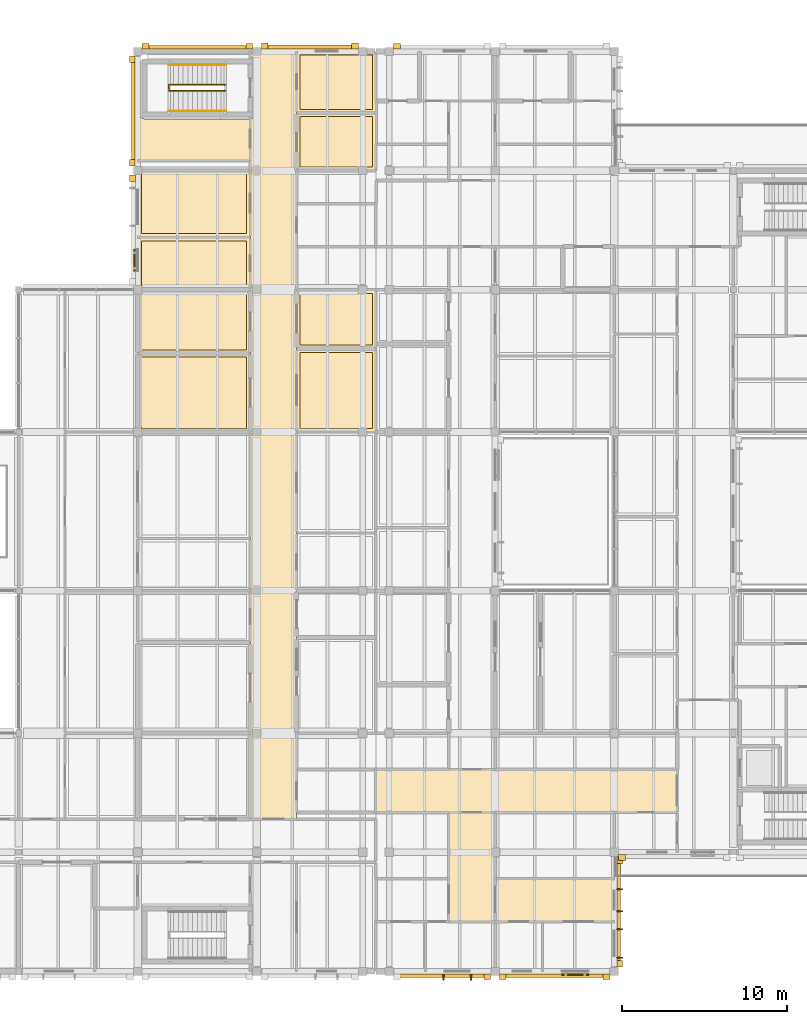
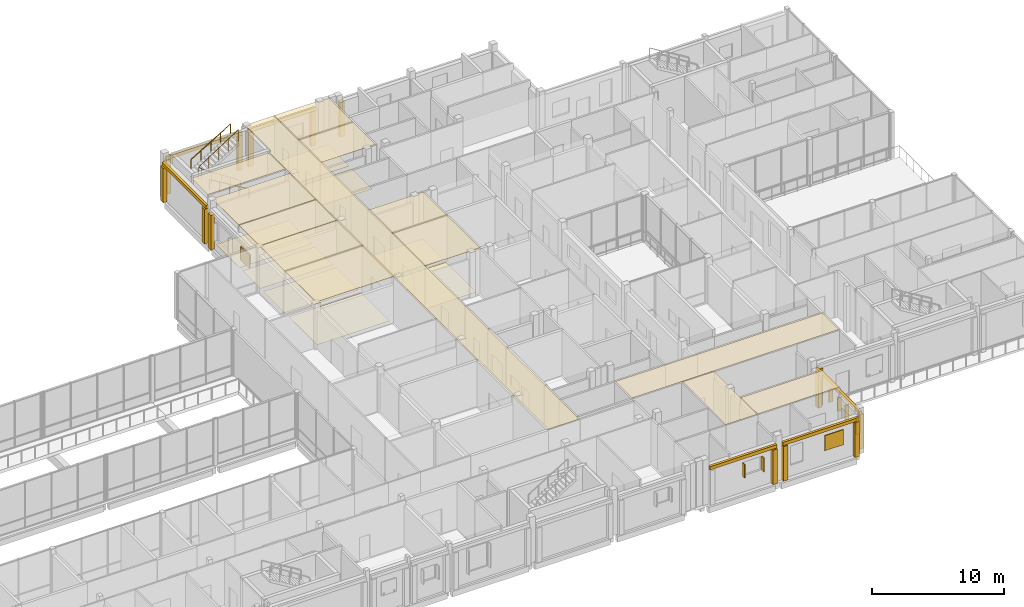
# One storey, part 142 of 146: 41 coverings, 8 shading devices, 3 railings.
"""IFC4 building model written with IfcOpenShell, lengths in metres."""

from ifc_helpers import new_model, si_unit, direction, frame, origin, origin_2d, place, context, subcontext, project, spatial, polyline, rectangle, circle, outline, extrude, material, layer, layer_set, type_object, element, save


model = new_model("IFC4")

# Units and contexts
model_context = context("Model", 3, precision=1e-05, world=origin(), true_north=direction((0.0, 1.0)))
body_context = subcontext(model_context, "Body", "Model", "MODEL_VIEW")
ifc_project = project(units=[si_unit("LENGTHUNIT", "METRE"), si_unit("AREAUNIT", "SQUARE_METRE"), si_unit("VOLUMEUNIT", "CUBIC_METRE"), si_unit("PLANEANGLEUNIT", "RADIAN"), si_unit("MASSUNIT", "GRAM", prefix="KILO")], contexts=[model_context])

# Site, building, storey
site_placement = place(None, origin())
site = spatial("IfcSite", under=ifc_project, at=site_placement, CompositionType="ELEMENT")
building_placement = place(site_placement, origin())
building = spatial("IfcBuilding", under=site, at=building_placement, Name="Hawrajan Terrace Health Centre", CompositionType="ELEMENT")
storey_placement = place(building_placement, frame((0.0, 0.0, 4.5)))
storey = spatial("IfcBuildingStorey", under=building, at=storey_placement, Name="L01", CompositionType="ELEMENT", Elevation=4.5)

# Coverings
ifc_material_1 = material(Name="Precast concrete C40/50", Category="concrete")
ifc_layer_1 = layer(ifc_material_1, 0.219970703125)
ifc_layer_set_1 = layer_set([ifc_layer_1], Name="Precast concrete C40/50")
covering_type_1 = type_object("IfcCoveringType", Name="ArtDecoCorniceBand", PredefinedType="CLADDING", material=ifc_layer_set_1)
for number, where, z_axis, x_axis, name in (
    (1, (118.60009765625, 60.06005859375, 3.2099609375), (0.0, 0.0, 1.0), (1.0, 0.0, 0.0), "Art Deco limestone cornice band CRN-L01-0086"),
    (2, (114.72998046875, 56.199951171875, 3.2099609375), (0.0, 0.0, 1.0), (0.0, 1.0, 0.0), "Art Deco limestone cornice band CRN-L01-0087"),
):
    element("IfcCovering", number, at=place(storey_placement, frame(where, z_axis=z_axis, x_axis=x_axis)), inside=storey, type_object=covering_type_1, Name=name, PredefinedType="CLADDING", context=body_context, shape_type="SweptSolid", body=[
        extrude(rectangle(XDim=6.659912109375, YDim=0.219970703125, at=origin_2d()), origin(), (0.0, 0.0, 1.0), 0.300048828125),
    ])
for number, where, z_axis, x_axis, name in (
    (3, (125.39990234375, 60.070068359375, 3.2099609375), (0.0, 0.0, 1.0), (1.0, 0.0, 0.0), "Art Deco limestone cornice band CRN-L01-0089"),
    (4, (133.39990234375, 3.929931640625, 3.2099609375), (0.0, 0.0, 1.0), (1.0, 0.0, 0.0), "Art Deco limestone cornice band CRN-L01-0090"),
):
    element("IfcCovering", number, at=place(storey_placement, frame(where, z_axis=z_axis, x_axis=x_axis)), inside=storey, type_object=covering_type_1, Name=name, PredefinedType="CLADDING", context=body_context, shape_type="SweptSolid", body=[
        extrude(rectangle(XDim=5.860107421875, YDim=0.219970703125, at=origin_2d()), origin(), (0.0, 0.0, 1.0), 0.300048828125),
    ])
for number, where, z_axis, x_axis, name in (
    (5, (140.199951171875, 3.93994140625, 3.2099609375), (0.0, 0.0, 1.0), (1.0, 0.0, 0.0), "Art Deco limestone cornice band CRN-L01-0093"),
    (6, (144.070068359375, 7.800048828125, 3.2099609375), (0.0, 0.0, 1.0), (0.0, 1.0, 0.0), "Art Deco limestone cornice band CRN-L01-0094"),
):
    element("IfcCovering", number, at=place(storey_placement, frame(where, z_axis=z_axis, x_axis=x_axis)), inside=storey, type_object=covering_type_1, Name=name, PredefinedType="CLADDING", context=body_context, shape_type="SweptSolid", body=[
        extrude(rectangle(XDim=6.659912109375, YDim=0.219970703125, at=origin_2d()), origin(), (0.0, 0.0, 1.0), 0.300048828125),
    ])
ifc_layer_2 = layer(ifc_material_1, 0.340087890625)
ifc_layer_set_2 = layer_set([ifc_layer_2], Name="Precast concrete C40/50")
covering_type_2 = type_object("IfcCoveringType", Name="ArtDecoStonePilaster", PredefinedType="CLADDING", material=ifc_layer_set_2)
for number, where, z_axis, x_axis, name in (
    (7, (114.679931640625, 52.1298828125, 0.0), (0.0, 0.0, 1.0), (0.0, 1.0, 0.0), "Art Deco fluted limestone pilaster FPIL-L01-0149"),
    (8, (115.469970703125, 60.1201171875, 0.0), (0.0, 0.0, 1.0), (1.0, 0.0, 0.0), "Art Deco fluted limestone pilaster FPIL-L01-0150"),
    (9, (121.72998046875, 60.1201171875, 0.0), (0.0, 0.0, 1.0), (1.0, 0.0, 0.0), "Art Deco fluted limestone pilaster FPIL-L01-0151"),
    (10, (114.669921875, 53.070068359375, 0.0), (0.0, 0.0, 1.0), (0.0, 1.0, 0.0), "Art Deco fluted limestone pilaster FPIL-L01-0152"),
    (11, (114.669921875, 59.330078125, 0.0), (0.0, 0.0, 1.0), (0.0, 1.0, 0.0), "Art Deco fluted limestone pilaster FPIL-L01-0153"),
    (12, (122.669921875, 60.1298828125, 0.0), (0.0, 0.0, 1.0), (1.0, 0.0, 0.0), "Art Deco fluted limestone pilaster FPIL-L01-0156"),
    (13, (128.1298828125, 60.1298828125, 0.0), (0.0, 0.0, 1.0), (1.0, 0.0, 0.0), "Art Deco fluted limestone pilaster FPIL-L01-0157"),
    (14, (136.1298828125, 3.8701171875, 0.0), (0.0, 0.0, 1.0), (1.0, 0.0, 0.0), "Art Deco fluted limestone pilaster FPIL-L01-0159"),
    (15, (130.669921875, 60.1201171875, 0.0), (0.0, 0.0, 1.0), (1.0, 0.0, 0.0), "Art Deco fluted limestone pilaster FPIL-L01-0162"),
    (16, (137.070068359375, 3.8798828125, 0.0), (0.0, 0.0, 1.0), (1.0, 0.0, 0.0), "Art Deco fluted limestone pilaster FPIL-L01-0164"),
    (17, (143.330078125, 3.8798828125, 0.0), (0.0, 0.0, 1.0), (1.0, 0.0, 0.0), "Art Deco fluted limestone pilaster FPIL-L01-0165"),
    (18, (144.1298828125, 4.669921875, 0.0), (0.0, 0.0, 1.0), (0.0, 1.0, 0.0), "Art Deco fluted limestone pilaster FPIL-L01-0166"),
    (19, (144.1298828125, 10.929931640625, 0.0), (0.0, 0.0, 1.0), (0.0, 1.0, 0.0), "Art Deco fluted limestone pilaster FPIL-L01-0167"),
):
    element("IfcCovering", number, at=place(storey_placement, frame(where, z_axis=z_axis, x_axis=x_axis)), inside=storey, type_object=covering_type_2, Name=name, PredefinedType="CLADDING", context=body_context, shape_type="SweptSolid", body=[
        extrude(rectangle(XDim=0.39990234375, YDim=0.340087890625, at=origin_2d()), origin(), (0.0, 0.0, 1.0), 3.199951171875),
    ])
covering_1_placement = place(storey_placement, frame((144.27001953125, 11.080078125, 0.0), z_axis=(0.0, 0.0, 1.0), x_axis=(1.0, 0.0, 0.0)))
element("IfcCovering", 20, at=covering_1_placement, inside=storey, type_object=covering_type_2, Name="Art Deco fluted limestone pilaster FPIL-L01-0172", PredefinedType="CLADDING", context=body_context, shape_type="SweptSolid", body=[
    extrude(rectangle(XDim=0.39990234375, YDim=0.340087890625, at=origin_2d()), origin(), (0.0, 0.0, 1.0), 3.43994140625),
])
ifc_material_2 = material(Name="Hygienic mineral-fibre acoustic tile ceiling")
ifc_layer_3 = layer(ifc_material_2, 0.02490234375)
ifc_layer_set_3 = layer_set([ifc_layer_3], Name="Hygienic mineral-fibre acoustic tile ceiling")
covering_type_3 = type_object("IfcCoveringType", Name="ClinicalAcousticCeiling_25", PredefinedType="CEILING", material=ifc_layer_set_3)
covering_2_placement = place(storey_placement, frame((0.0, 0.0, 4.155029296875)))
element("IfcCovering", 21, at=covering_2_placement, inside=storey, type_object=covering_type_3, Name="Suspended ceiling L01-033", PredefinedType="CEILING", context=body_context, shape_type="SweptSolid", body=[
    extrude(outline(polyline([(121.820068359375, 59.780029296875), (124.580078125, 59.780029296875), (124.580078125, 13.419921875), (121.820068359375, 13.419921875), (121.820068359375, 55.73095703125), (121.825439453125, 55.731201171875), (121.827392578125, 55.7314453125), (121.851806640625, 55.735107421875), (121.853515625, 55.7353515625), (121.87744140625, 55.741455078125), (121.87939453125, 55.741943359375), (121.90234375, 55.750244140625), (121.904296875, 55.7509765625), (121.926513671875, 55.761474609375), (121.927978515625, 55.762451171875), (121.94921875, 55.77490234375), (121.95068359375, 55.776123046875), (121.970458984375, 55.790771484375), (121.971923828125, 55.7919921875), (121.990234375, 55.808349609375), (121.99169921875, 55.809814453125), (122.008056640625, 55.827880859375), (122.00927734375, 55.82958984375), (122.02392578125, 55.84912109375), (122.02490234375, 55.850830078125), (122.03759765625, 55.871826171875), (122.03857421875, 55.87353515625), (122.049072265625, 55.895751953125), (122.0498046875, 55.897705078125), (122.05810546875, 55.920654296875), (122.05859375, 55.922607421875), (122.064697265625, 55.9462890625), (122.06494140625, 55.9482421875), (122.068603515625, 55.97265625), (122.06884765625, 55.974609375), (122.070068359375, 55.9990234375), (122.070068359375, 56.0), (122.070068359375, 59.199951171875), (122.070068359375, 59.200927734375), (122.06884765625, 59.2255859375), (122.068603515625, 59.227294921875), (122.06494140625, 59.251708984375), (122.064697265625, 59.253662109375), (122.05859375, 59.27734375), (122.05810546875, 59.279296875), (122.0498046875, 59.302490234375), (122.049072265625, 59.30419921875), (122.03857421875, 59.326416015625), (122.03759765625, 59.328125), (122.02490234375, 59.34912109375), (122.02392578125, 59.350830078125), (122.00927734375, 59.37060546875), (122.008056640625, 59.3720703125), (121.99169921875, 59.39013671875), (121.990234375, 59.3916015625), (121.971923828125, 59.408203125), (121.970458984375, 59.4091796875), (121.95068359375, 59.423828125), (121.94921875, 59.425048828125), (121.927978515625, 59.4375), (121.926513671875, 59.438720703125), (121.904296875, 59.448974609375), (121.90234375, 59.44970703125), (121.87939453125, 59.4580078125), (121.87744140625, 59.45849609375), (121.853515625, 59.464599609375), (121.851806640625, 59.465087890625), (121.827392578125, 59.468505859375), (121.825439453125, 59.46875), (121.820068359375, 59.468994140625), (121.820068359375, 59.780029296875)])), origin(), (0.0, 0.0, 1.0), 0.02490234375),
])
covering_3_placement = place(storey_placement, frame((0.0, 0.0, 4.155029296875)))
element("IfcCovering", 22, at=covering_3_placement, inside=storey, type_object=covering_type_3, Name="Suspended ceiling L01-036", PredefinedType="CEILING", context=body_context, shape_type="SweptSolid", body=[
    extrude(outline(polyline([(121.780029296875, 53.219970703125), (115.02001953125, 53.219970703125), (115.02001953125, 55.97998046875), (115.131103515625, 55.97998046875), (115.131103515625, 55.974609375), (115.13134765625, 55.97265625), (115.135009765625, 55.9482421875), (115.135498046875, 55.9462890625), (115.141357421875, 55.922607421875), (115.141845703125, 55.920654296875), (115.150146484375, 55.897705078125), (115.15087890625, 55.895751953125), (115.161376953125, 55.87353515625), (115.162353515625, 55.871826171875), (115.175048828125, 55.850830078125), (115.176025390625, 55.84912109375), (115.190673828125, 55.82958984375), (115.19189453125, 55.827880859375), (115.20849609375, 55.809814453125), (115.209716796875, 55.808349609375), (115.22802734375, 55.7919921875), (115.2294921875, 55.790771484375), (115.249267578125, 55.776123046875), (115.250732421875, 55.77490234375), (115.27197265625, 55.762451171875), (115.273681640625, 55.761474609375), (115.2958984375, 55.7509765625), (115.297607421875, 55.750244140625), (115.32080078125, 55.741943359375), (115.322509765625, 55.741455078125), (115.346435546875, 55.7353515625), (115.348388671875, 55.735107421875), (115.37255859375, 55.7314453125), (115.37451171875, 55.731201171875), (115.39892578125, 55.72998046875), (115.39990234375, 55.72998046875), (121.780029296875, 55.72998046875), (121.780029296875, 53.219970703125)])), origin(), (0.0, 0.0, 1.0), 0.02490234375),
])
covering_4_placement = place(storey_placement, frame((0.0, 0.0, 4.155029296875)))
element("IfcCovering", 23, at=covering_4_placement, inside=storey, type_object=covering_type_3, Name="Suspended ceiling L01-038", PredefinedType="CEILING", context=body_context, shape_type="SweptSolid", body=[
    extrude(outline(polyline([(129.425048828125, 16.3798828125), (147.580078125, 16.3798828125), (147.580078125, 13.820068359375), (129.425048828125, 13.820068359375), (129.425048828125, 16.3798828125)])), origin(), (0.0, 0.0, 1.0), 0.02490234375),
])
covering_5_placement = place(storey_placement, frame((0.0, 0.0, 4.155029296875)))
element("IfcCovering", 24, at=covering_5_placement, inside=storey, type_object=covering_type_3, Name="Suspended ceiling L01-049", PredefinedType="CEILING", context=body_context, shape_type="SweptSolid", body=[
    extrude(outline(polyline([(133.820068359375, 13.780029296875), (136.580078125, 13.780029296875), (136.580078125, 7.219970703125), (133.820068359375, 7.219970703125), (133.820068359375, 13.780029296875)])), origin(), (0.0, 0.0, 1.0), 0.02490234375),
])
covering_6_placement = place(storey_placement, frame((0.0, 0.0, 4.155029296875)))
element("IfcCovering", 25, at=covering_6_placement, inside=storey, type_object=covering_type_3, Name="Suspended ceiling L01-053", PredefinedType="CEILING", context=body_context, shape_type="SweptSolid", body=[
    extrude(outline(polyline([(136.6201171875, 9.780029296875), (143.780029296875, 9.780029296875), (143.780029296875, 7.219970703125), (136.6201171875, 7.219970703125), (136.6201171875, 9.780029296875)])), origin(), (0.0, 0.0, 1.0), 0.02490234375),
])
covering_7_placement = place(storey_placement, frame((0.0, 0.0, 4.155029296875)))
element("IfcCovering", 26, at=covering_7_placement, inside=storey, type_object=covering_type_3, Name="Suspended ceiling L01-146", PredefinedType="CEILING", context=body_context, shape_type="SweptSolid", body=[
    extrude(outline(polyline([(115.02001953125, 41.5185546875), (121.780029296875, 41.5185546875), (121.780029296875, 36.820068359375), (115.02001953125, 36.820068359375), (115.02001953125, 41.5185546875)])), origin(), (0.0, 0.0, 1.0), 0.02490234375),
])
covering_8_placement = place(storey_placement, frame((0.0, 0.0, 4.155029296875)))
element("IfcCovering", 27, at=covering_8_placement, inside=storey, type_object=covering_type_3, Name="Suspended ceiling L01-147", PredefinedType="CEILING", context=body_context, shape_type="SweptSolid", body=[
    extrude(outline(polyline([(115.02001953125, 45.3798828125), (121.780029296875, 45.3798828125), (121.780029296875, 41.55859375), (115.02001953125, 41.55859375), (115.02001953125, 45.3798828125)])), origin(), (0.0, 0.0, 1.0), 0.02490234375),
])
covering_9_placement = place(storey_placement, frame((0.0, 0.0, 4.155029296875)))
element("IfcCovering", 28, at=covering_9_placement, inside=storey, type_object=covering_type_3, Name="Suspended ceiling L01-148", PredefinedType="CEILING", context=body_context, shape_type="SweptSolid", body=[
    extrude(outline(polyline([(115.02001953125, 48.55517578125), (121.780029296875, 48.55517578125), (121.780029296875, 45.419921875), (115.02001953125, 45.419921875), (115.02001953125, 48.55517578125)])), origin(), (0.0, 0.0, 1.0), 0.02490234375),
])
covering_10_placement = place(storey_placement, frame((0.0, 0.0, 4.155029296875)))
element("IfcCovering", 29, at=covering_10_placement, inside=storey, type_object=covering_type_3, Name="Suspended ceiling L01-149", PredefinedType="CEILING", context=body_context, shape_type="SweptSolid", body=[
    extrude(outline(polyline([(115.02001953125, 52.580078125), (121.780029296875, 52.580078125), (121.780029296875, 48.59521484375), (115.02001953125, 48.59521484375), (115.02001953125, 52.580078125)])), origin(), (0.0, 0.0, 1.0), 0.02490234375),
])
covering_11_placement = place(storey_placement, frame((0.0, 0.0, 4.155029296875)))
element("IfcCovering", 30, at=covering_11_placement, inside=storey, type_object=covering_type_3, Name="Suspended ceiling L01-155", PredefinedType="CEILING", context=body_context, shape_type="SweptSolid", body=[
    extrude(outline(polyline([(124.6201171875, 41.81103515625), (129.375, 41.81103515625), (129.375, 36.820068359375), (124.6201171875, 36.820068359375), (124.6201171875, 41.81103515625)])), origin(), (0.0, 0.0, 1.0), 0.02490234375),
])
covering_12_placement = place(storey_placement, frame((0.0, 0.0, 4.155029296875)))
element("IfcCovering", 31, at=covering_12_placement, inside=storey, type_object=covering_type_3, Name="Suspended ceiling L01-156", PredefinedType="CEILING", context=body_context, shape_type="SweptSolid", body=[
    extrude(outline(polyline([(124.6201171875, 45.3798828125), (129.375, 45.3798828125), (129.375, 41.85107421875), (124.6201171875, 41.85107421875), (124.6201171875, 45.3798828125)])), origin(), (0.0, 0.0, 1.0), 0.02490234375),
])
covering_13_placement = place(storey_placement, frame((0.0, 0.0, 4.155029296875)))
element("IfcCovering", 32, at=covering_13_placement, inside=storey, type_object=covering_type_3, Name="Suspended ceiling L01-157", PredefinedType="CEILING", context=body_context, shape_type="SweptSolid", body=[
    extrude(outline(polyline([(124.6201171875, 56.0576171875), (129.375, 56.0576171875), (129.375, 52.6201171875), (124.6201171875, 52.6201171875), (124.6201171875, 56.0576171875)])), origin(), (0.0, 0.0, 1.0), 0.02490234375),
])
covering_14_placement = place(storey_placement, frame((0.0, 0.0, 4.155029296875)))
element("IfcCovering", 33, at=covering_14_placement, inside=storey, type_object=covering_type_3, Name="Suspended ceiling L01-158", PredefinedType="CEILING", context=body_context, shape_type="SweptSolid", body=[
    extrude(outline(polyline([(124.6201171875, 59.780029296875), (129.375, 59.780029296875), (129.375, 56.09765625), (124.6201171875, 56.09765625), (124.6201171875, 59.780029296875)])), origin(), (0.0, 0.0, 1.0), 0.02490234375),
])
ifc_material_3 = material(Name="Seamless medical-grade cushioned vinyl flooring")
ifc_layer_4 = layer(ifc_material_3, 0.011962890625)
ifc_layer_set_4 = layer_set([ifc_layer_4], Name="Seamless medical-grade cushioned vinyl flooring")
covering_type_4 = type_object("IfcCoveringType", Name="ClinicalVinylFlooring_12", PredefinedType="FLOORING", material=ifc_layer_set_4)
covering_15_placement = place(storey_placement, origin())
element("IfcCovering", 34, at=covering_15_placement, inside=storey, type_object=covering_type_4, Name="Floor finish L01-146", PredefinedType="FLOORING", context=body_context, shape_type="SweptSolid", body=[
    extrude(outline(polyline([(115.219970703125, 41.318603515625), (121.580078125, 41.318603515625), (121.580078125, 37.02001953125), (115.219970703125, 37.02001953125), (115.219970703125, 41.318603515625)])), origin(), (0.0, 0.0, 1.0), 0.011962890625),
])
covering_16_placement = place(storey_placement, origin())
element("IfcCovering", 35, at=covering_16_placement, inside=storey, type_object=covering_type_4, Name="Floor finish L01-147", PredefinedType="FLOORING", context=body_context, shape_type="SweptSolid", body=[
    extrude(outline(polyline([(115.219970703125, 45.179931640625), (121.580078125, 45.179931640625), (121.580078125, 41.758544921875), (115.219970703125, 41.758544921875), (115.219970703125, 45.179931640625)])), origin(), (0.0, 0.0, 1.0), 0.011962890625),
])
covering_17_placement = place(storey_placement, origin())
element("IfcCovering", 36, at=covering_17_placement, inside=storey, type_object=covering_type_4, Name="Floor finish L01-148", PredefinedType="FLOORING", context=body_context, shape_type="SweptSolid", body=[
    extrude(outline(polyline([(115.219970703125, 48.355224609375), (121.580078125, 48.355224609375), (121.580078125, 45.6201171875), (115.219970703125, 45.6201171875), (115.219970703125, 48.355224609375)])), origin(), (0.0, 0.0, 1.0), 0.011962890625),
])
covering_18_placement = place(storey_placement, origin())
element("IfcCovering", 37, at=covering_18_placement, inside=storey, type_object=covering_type_4, Name="Floor finish L01-149", PredefinedType="FLOORING", context=body_context, shape_type="SweptSolid", body=[
    extrude(outline(polyline([(115.219970703125, 52.3798828125), (121.580078125, 52.3798828125), (121.580078125, 48.795166015625), (115.219970703125, 48.795166015625), (115.219970703125, 52.3798828125)])), origin(), (0.0, 0.0, 1.0), 0.011962890625),
])
covering_19_placement = place(storey_placement, origin())
element("IfcCovering", 38, at=covering_19_placement, inside=storey, type_object=covering_type_4, Name="Floor finish L01-155", PredefinedType="FLOORING", context=body_context, shape_type="SweptSolid", body=[
    extrude(outline(polyline([(124.820068359375, 41.611083984375), (129.175048828125, 41.611083984375), (129.175048828125, 37.02001953125), (124.820068359375, 37.02001953125), (124.820068359375, 41.611083984375)])), origin(), (0.0, 0.0, 1.0), 0.011962890625),
])
covering_20_placement = place(storey_placement, origin())
element("IfcCovering", 39, at=covering_20_placement, inside=storey, type_object=covering_type_4, Name="Floor finish L01-156", PredefinedType="FLOORING", context=body_context, shape_type="SweptSolid", body=[
    extrude(outline(polyline([(124.820068359375, 45.179931640625), (129.175048828125, 45.179931640625), (129.175048828125, 42.051025390625), (124.820068359375, 42.051025390625), (124.820068359375, 45.179931640625)])), origin(), (0.0, 0.0, 1.0), 0.011962890625),
])
covering_21_placement = place(storey_placement, origin())
element("IfcCovering", 40, at=covering_21_placement, inside=storey, type_object=covering_type_4, Name="Floor finish L01-157", PredefinedType="FLOORING", context=body_context, shape_type="SweptSolid", body=[
    extrude(outline(polyline([(124.820068359375, 55.857666015625), (129.175048828125, 55.857666015625), (129.175048828125, 52.820068359375), (124.820068359375, 52.820068359375), (124.820068359375, 55.857666015625)])), origin(), (0.0, 0.0, 1.0), 0.011962890625),
])
covering_22_placement = place(storey_placement, origin())
element("IfcCovering", 41, at=covering_22_placement, inside=storey, type_object=covering_type_4, Name="Floor finish L01-158", PredefinedType="FLOORING", context=body_context, shape_type="SweptSolid", body=[
    extrude(outline(polyline([(124.820068359375, 59.580078125), (129.175048828125, 59.580078125), (129.175048828125, 56.297607421875), (124.820068359375, 56.297607421875), (124.820068359375, 59.580078125)])), origin(), (0.0, 0.0, 1.0), 0.011962890625),
])

# Shading devices
ifc_material_4 = material(Name="Anodized bronze mashrabiya vertical solar fin")
ifc_layer_5 = layer(ifc_material_4, 0.080078125)
ifc_layer_set_5 = layer_set([ifc_layer_5], Name="Anodized bronze mashrabiya vertical solar fin")
shading_device_type_1 = type_object("IfcShadingDeviceType", Name="MashrabiyaVerticalFin", PredefinedType="USERDEFINED", material=ifc_layer_set_5)
for number, where, z_axis, x_axis, name in (
    (42, (133.470458984375, 3.860107421875, 1.5), (0.0, 0.0, 1.0), (1.0, 0.0, 0.0), "Bronze mashrabiya solar fin FIN-L01-0106"),
    (43, (135.150390625, 3.860107421875, 1.5), (0.0, 0.0, 1.0), (1.0, 0.0, 0.0), "Bronze mashrabiya solar fin FIN-L01-0107"),
):
    element("IfcShadingDevice", number, at=place(storey_placement, frame(where, z_axis=z_axis, x_axis=x_axis)), inside=storey, type_object=shading_device_type_1, Name=name, ObjectType="SOLAR_FIN", PredefinedType="USERDEFINED", context=body_context, shape_type="SweptSolid", body=[
        extrude(rectangle(XDim=0.080078125, YDim=0.360107421875, at=origin_2d()), origin(), (0.0, 0.0, 1.0), 1.25),
    ])
for number, where, z_axis, x_axis, name in (
    (44, (144.139892578125, 5.02490234375, 1.050048828125), (0.0, 0.0, 1.0), (0.0, 1.0, 0.0), "Bronze mashrabiya solar fin FIN-L01-0112"),
    (45, (144.139892578125, 6.7451171875, 1.050048828125), (0.0, 0.0, 1.0), (0.0, 1.0, 0.0), "Bronze mashrabiya solar fin FIN-L01-0113"),
):
    element("IfcShadingDevice", number, at=place(storey_placement, frame(where, z_axis=z_axis, x_axis=x_axis)), inside=storey, type_object=shading_device_type_1, Name=name, ObjectType="SOLAR_FIN", PredefinedType="USERDEFINED", context=body_context, shape_type="SweptSolid", body=[
        extrude(rectangle(XDim=0.080078125, YDim=0.360107421875, at=origin_2d()), origin(), (0.0, 0.0, 1.0), 1.64990234375),
    ])
for number, where, z_axis, x_axis, name in (
    (46, (144.139892578125, 7.8349609375, 1.5), (0.0, 0.0, 1.0), (0.0, 1.0, 0.0), "Bronze mashrabiya solar fin FIN-L01-0114"),
    (47, (144.139892578125, 9.1650390625, 1.5), (0.0, 0.0, 1.0), (0.0, 1.0, 0.0), "Bronze mashrabiya solar fin FIN-L01-0115"),
):
    element("IfcShadingDevice", number, at=place(storey_placement, frame(where, z_axis=z_axis, x_axis=x_axis)), inside=storey, type_object=shading_device_type_1, Name=name, ObjectType="SOLAR_FIN", PredefinedType="USERDEFINED", context=body_context, shape_type="SweptSolid", body=[
        extrude(rectangle(XDim=0.080078125, YDim=0.360107421875, at=origin_2d()), origin(), (0.0, 0.0, 1.0), 1.25),
    ])
ifc_material_5 = material(Name="Anodized bronze and cedar roshan lattice")
ifc_layer_6 = layer(ifc_material_5, 0.080078125)
ifc_layer_set_6 = layer_set([ifc_layer_6], Name="Anodized bronze and cedar roshan lattice")
shading_device_type_2 = type_object("IfcShadingDeviceType", Name="RoshanScreen_BronzeCedar", PredefinedType="JALOUSIE", material=ifc_layer_set_6)
shading_device_1_placement = place(storey_placement, frame((114.804931640625, 47.172607421875, 1.5), z_axis=(0.0, 0.0, 1.0), x_axis=(0.0, 1.0, 0.0)))
element("IfcShadingDevice", 48, at=shading_device_1_placement, inside=storey, type_object=shading_device_type_2, Name="Hijazi roshan solar screen RSH-L01-101", PredefinedType="JALOUSIE", context=body_context, shape_type="SweptSolid", body=[
    extrude(rectangle(XDim=1.320068359375, YDim=0.080078125, at=origin_2d()), origin(), (0.0, 0.0, 1.0), 1.25),
])
shading_device_2_placement = place(storey_placement, frame((141.44775390625, 4.0048828125, 1.35009765625), z_axis=(0.0, 0.0, 1.0), x_axis=(1.0, 0.0, 0.0)))
element("IfcShadingDevice", 49, at=shading_device_2_placement, inside=storey, type_object=shading_device_type_2, Name="Hijazi roshan solar screen RSH-L01-111", PredefinedType="JALOUSIE", context=body_context, shape_type="SweptSolid", body=[
    extrude(rectangle(XDim=1.64990234375, YDim=0.080078125, at=origin_2d()), origin(), (0.0, 0.0, 1.0), 1.39990234375),
])

# Railings
ifc_material_6 = material(Name="Brushed stainless steel tubular handrail", Category="steel")
railing_type_1 = type_object("IfcRailingType", Name="StairHandrail_900", PredefinedType="HANDRAIL", material=ifc_material_6)
railing_1_placement = place(storey_placement, frame((120.324951171875, 56.199951171875, 0.173095703125)))
element("IfcRailing", 50, at=railing_1_placement, inside=storey, type_object=railing_type_1, Name="Stair handrail ST-7-L01-H1", PredefinedType="HANDRAIL", context=body_context, shape_type="SweptSolid", body=[
    extrude(circle(Radius=0.02392578125, at=origin_2d()), frame((-0.024658203125, 0.0, 0.890625), z_axis=(-0.856732359591, 0.0, 0.515761247119), x_axis=(0.0, -1.0, 0.0)), (0.0, 0.0, 1.0), 3.96923828125),
    extrude(circle(Radius=0.02099609375, at=origin_2d()), origin(), (0.0, 0.0, 1.0), 0.846923828125),
    extrude(circle(Radius=0.02099609375, at=origin_2d()), frame((-0.862548828125, 0.0, 0.519287109375)), (0.0, 0.0, 1.0), 0.846923828125),
    extrude(circle(Radius=0.02099609375, at=origin_2d()), frame((-1.72509765625, 0.0, 1.03857421875)), (0.0, 0.0, 1.0), 0.846923828125),
    extrude(circle(Radius=0.02099609375, at=origin_2d()), frame((-2.58740234375, 0.0, 1.5576171875)), (0.0, 0.0, 1.0), 0.846923828125),
    extrude(circle(Radius=0.02099609375, at=origin_2d()), frame((-3.449951171875, 0.0, 2.076904296875)), (0.0, 0.0, 1.0), 0.846923828125),
])
railing_2_placement = place(storey_placement, frame((116.875, 59.0, 2.423095703125)))
element("IfcRailing", 51, at=railing_2_placement, inside=storey, type_object=railing_type_1, Name="Stair handrail ST-7-L01-H2", PredefinedType="HANDRAIL", context=body_context, shape_type="SweptSolid", body=[
    extrude(circle(Radius=0.02392578125, at=origin_2d()), frame((0.024658203125, 0.0, 0.890625), z_axis=(0.856732359591, 0.0, 0.515761247119), x_axis=(0.0, 1.0, 0.0)), (0.0, 0.0, 1.0), 3.96923828125),
    extrude(circle(Radius=0.02099609375, at=origin_2d()), origin(), (0.0, 0.0, 1.0), 0.846923828125),
    extrude(circle(Radius=0.02099609375, at=origin_2d()), frame((0.862548828125, 0.0, 0.519287109375)), (0.0, 0.0, 1.0), 0.846923828125),
    extrude(circle(Radius=0.02099609375, at=origin_2d()), frame((1.72509765625, 0.0, 1.03857421875)), (0.0, 0.0, 1.0), 0.846923828125),
    extrude(circle(Radius=0.02099609375, at=origin_2d()), frame((2.58740234375, 0.0, 1.5576171875)), (0.0, 0.0, 1.0), 0.846923828125),
    extrude(circle(Radius=0.02099609375, at=origin_2d()), frame((3.449951171875, 0.0, 2.076904296875)), (0.0, 0.0, 1.0), 0.846923828125),
])
ifc_material_7 = material(Name="Painted steel stair well guard", Category="steel")
railing_type_2 = type_object("IfcRailingType", Name="StairWellGuard_1120", PredefinedType="GUARDRAIL", material=ifc_material_7)
railing_3_placement = place(storey_placement, frame((120.300048828125, 57.419921875, 0.0)))
element("IfcRailing", 52, at=railing_3_placement, inside=storey, type_object=railing_type_2, Name="Stair well guard ST-7-L01-G1", PredefinedType="GUARDRAIL", context=body_context, shape_type="SweptSolid", body=[
    extrude(circle(Radius=0.02392578125, at=origin_2d()), frame((-0.024169921875, 0.0, 1.112060546875), z_axis=(-0.833943147616, 0.0, 0.551850366082), x_axis=(0.0, -1.0, 0.0)), (0.0, 0.0, 1.0), 4.01953125),
    extrude(circle(Radius=0.02392578125, at=origin_2d()), frame((-3.404052734375, 0.028564453125, 3.34619140625), z_axis=(-0.137000993654, 0.99057091, 0.0), x_axis=(-0.99057091, -0.137000993654, 0.0)), (0.0, 0.0, 1.0), 0.305908203125),
    extrude(circle(Radius=0.02392578125, at=origin_2d()), frame((-3.42578125, 0.360107421875, 3.36181640625), z_axis=(0.837607059222, 0.0, 0.546273204854), x_axis=(0.0, 1.0, 0.0)), (0.0, 0.0, 1.0), 4.06103515625),
    extrude(circle(Radius=0.02099609375, at=origin_2d()), origin(), (0.0, 0.0, 1.0), 1.067138671875),
    extrude(circle(Radius=0.02099609375, at=origin_2d()), frame((-0.85009765625, 0.0, 0.5625)), (0.0, 0.0, 1.0), 1.067138671875),
    extrude(circle(Radius=0.02099609375, at=origin_2d()), frame((-1.7001953125, 0.0, 1.125)), (0.0, 0.0, 1.0), 1.067138671875),
    extrude(circle(Radius=0.02099609375, at=origin_2d()), frame((-2.550048828125, 0.0, 1.6875)), (0.0, 0.0, 1.0), 1.067138671875),
    extrude(circle(Radius=0.02099609375, at=origin_2d()), frame((-3.400146484375, 0.0, 2.25)), (0.0, 0.0, 1.0), 1.067138671875),
    extrude(circle(Radius=0.02099609375, at=origin_2d()), frame((-3.449951171875, 0.360107421875, 2.25)), (0.0, 0.0, 1.0), 1.067138671875),
    extrude(circle(Radius=0.02099609375, at=origin_2d()), frame((-2.58740234375, 0.360107421875, 2.8125)), (0.0, 0.0, 1.0), 1.067138671875),
    extrude(circle(Radius=0.02099609375, at=origin_2d()), frame((-1.72509765625, 0.360107421875, 3.375)), (0.0, 0.0, 1.0), 1.067138671875),
    extrude(circle(Radius=0.02099609375, at=origin_2d()), frame((-0.862548828125, 0.360107421875, 3.9375)), (0.0, 0.0, 1.0), 1.067138671875),
    extrude(circle(Radius=0.02099609375, at=origin_2d()), frame((0.0, 0.360107421875, 4.5)), (0.0, 0.0, 1.0), 1.067138671875),
])

save(model, "model.ifc")
